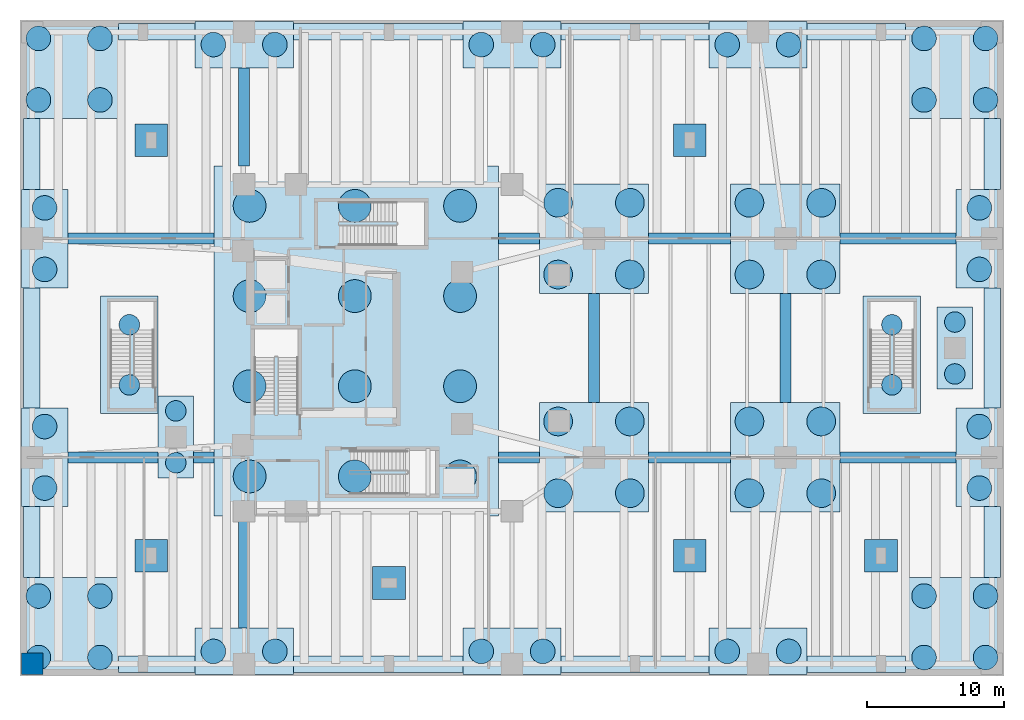
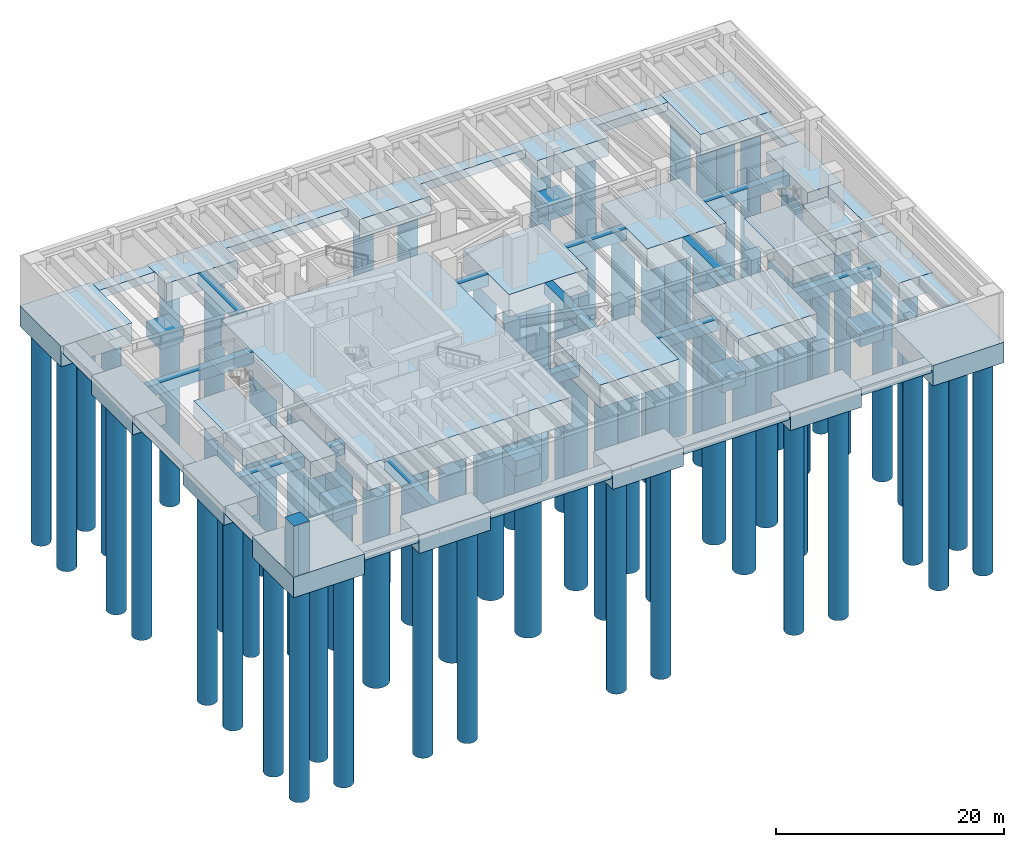
# One storey, part 1 of 10: 72 piles, 56 footings, 1 column.
"""IFC4 building model written with IfcOpenShell, lengths in metres."""

import ifcopenshell
import ifcopenshell.guid

model = None  # the IFC model being written
_history = None  # IfcOwnerHistory: only IFC2X3 demands one
_inside = {}  # id of a spatial element -> (the spatial element, [elements in it])
_under = {}  # id of a project, library or spatial element -> (it, [spatial elements below it])
_declared = {}  # id of a project -> (the project, [libraries it declares])
_typed = {}  # id of a type object -> (the type object, [elements of that type])
_made_of = {}  # id of a material, layer set ... -> (it, [elements and type objects made of it])


def new_model(schema):
    """Start an empty IFC model of exactly this schema.

    Asked for "IFC4X3", IfcOpenShell would pick the latest addendum, in which some entities
    have other attributes; the version numbers below select the first issue.
    IFC2X3 requires an IfcOwnerHistory on every rooted entity: one is made here for all.
    """
    global model, _history
    if schema == "IFC4X3":
        model = ifcopenshell.file(schema_version=(4, 3, 0, 0))
    else:
        model = ifcopenshell.file(schema=schema)
    _inside.clear()
    _under.clear()
    _declared.clear()
    _typed.clear()
    _made_of.clear()
    _history = None
    if model.schema == "IFC2X3":
        org = make("IfcOrganization", Name="unknown")
        user = make(
            "IfcPersonAndOrganization",
            ThePerson=make("IfcPerson", FamilyName="unknown"),
            TheOrganization=org,
        )
        app = make(
            "IfcApplication",
            ApplicationDeveloper=org,
            Version="unknown",
            ApplicationFullName="unknown",
            ApplicationIdentifier="unknown",
        )
        _history = make(
            "IfcOwnerHistory",
            OwningUser=user,
            OwningApplication=app,
            ChangeAction="ADDED",
            CreationDate=0,
        )
    return model


def make(cls, **values):
    """One entity of the class cls with the attributes given. An attribute that is None is left unset."""
    return model.create_entity(
        cls, **{name: value for name, value in values.items() if value is not None}
    )


def rooted(cls, **values):
    """An entity with a GlobalId (a new one), such as an element, a storey or a relation."""
    return make(cls, GlobalId=ifcopenshell.guid.new(), OwnerHistory=_history, **values)


def si_unit(unit_type, name, prefix=None):
    """IfcSIUnit, for example si_unit("LENGTHUNIT", "METRE", prefix="MILLI")."""
    return make("IfcSIUnit", UnitType=unit_type, Prefix=prefix, Name=name)


def assignment(units):
    """IfcUnitAssignment: the units of a project."""
    return None if units is None else make("IfcUnitAssignment", Units=units)


def point(xyz):
    """IfcCartesianPoint."""
    return None if xyz is None else make("IfcCartesianPoint", Coordinates=xyz)


def direction(xyz):
    """IfcDirection."""
    return None if xyz is None else make("IfcDirection", DirectionRatios=xyz)


def frame(location, z_axis=None, x_axis=None):
    """IfcAxis2Placement3D, a coordinate frame: its origin and axes. An axis left out is left unset."""
    return make(
        "IfcAxis2Placement3D",
        Location=point(location),
        Axis=direction(z_axis),
        RefDirection=direction(x_axis),
    )


def frame_2d(location, x_axis=None):
    """IfcAxis2Placement2D, a coordinate frame in the plane: its origin and x axis."""
    return make(
        "IfcAxis2Placement2D", Location=point(location), RefDirection=direction(x_axis)
    )


def origin():
    """The frame at (0, 0, 0) with its axes left unset."""
    return frame((0.0, 0.0, 0.0))


def origin_2d():
    """The frame at (0, 0) in the plane with its x axis left unset."""
    return frame_2d((0.0, 0.0))


def place(relative_to, where):
    """IfcLocalPlacement: puts the frame where relative to a parent placement (None: the world)."""
    return make(
        "IfcLocalPlacement", PlacementRelTo=relative_to, RelativePlacement=where
    )


def context(
    kind, dimensions, precision=None, world=None, true_north=None, identifier=None
):
    """IfcGeometricRepresentationContext, for example the 3D "Model" context."""
    return make(
        "IfcGeometricRepresentationContext",
        ContextIdentifier=identifier,
        ContextType=kind,
        CoordinateSpaceDimension=dimensions,
        Precision=precision,
        WorldCoordinateSystem=world,
        TrueNorth=true_north,
    )


def subcontext(parent, identifier, kind, view, scale=None):
    """IfcGeometricRepresentationSubContext, for example "Body" below "Model"."""
    return make(
        "IfcGeometricRepresentationSubContext",
        ContextIdentifier=identifier,
        ContextType=kind,
        ParentContext=parent,
        TargetScale=scale,
        TargetView=view,
    )


def project(units=None, contexts=None):
    """IfcProject with its units and contexts."""
    return rooted(
        "IfcProject",
        Name="project",
        RepresentationContexts=contexts,
        UnitsInContext=assignment(units),
    )


def spatial(cls, under=None, at=None, **own):
    """A site, building, storey or space (cls), placed at a placement, below another one or the project."""
    s = rooted(cls, ObjectPlacement=at, **own)
    if under is not None:
        _under.setdefault(under.id(), (under, []))[1].append(s)
    return s


def polyline(points):
    """IfcPolyline through the points."""
    return make("IfcPolyline", Points=[point(p) for p in points])


def profile(cls, at=None, kind="AREA", **sizes):
    """A parametric profile (cls). Its sizes go by their IFC names, for example OverallWidth=200.0."""
    return make(cls, ProfileType=kind, Position=at, **sizes)


def rectangle(**sizes):
    """IfcRectangleProfileDef."""
    return profile("IfcRectangleProfileDef", **sizes)


def circle(**sizes):
    """IfcCircleProfileDef."""
    return profile("IfcCircleProfileDef", **sizes)


def outline(outer, holes=None, kind="AREA"):
    """IfcArbitraryClosedProfileDef: a profile drawn as a closed curve; with holes, ...WithVoids."""
    if holes is None:
        return make("IfcArbitraryClosedProfileDef", ProfileType=kind, OuterCurve=outer)
    return make(
        "IfcArbitraryProfileDefWithVoids",
        ProfileType=kind,
        OuterCurve=outer,
        InnerCurves=holes,
    )


def extrude(swept, where, along, depth):
    """IfcExtrudedAreaSolid: the profile swept, set in the frame where, extruded along a direction by depth."""
    return make(
        "IfcExtrudedAreaSolid",
        SweptArea=swept,
        Position=where,
        ExtrudedDirection=direction(along),
        Depth=depth,
    )


def shape(context_of_items, identifier, shape_type, items):
    """IfcShapeRepresentation: the items that make up one representation, for example the "Body"."""
    return make(
        "IfcShapeRepresentation",
        ContextOfItems=context_of_items,
        RepresentationIdentifier=identifier,
        RepresentationType=shape_type,
        Items=items,
    )


def material(Name=None, Category=None):
    """IfcMaterial."""
    return make("IfcMaterial", Name=Name, Category=Category)


def material_profile(
    of_material, cross_section, Name=None, Category=None, Priority=None
):
    """IfcMaterialProfile: a cross section and its material."""
    return make(
        "IfcMaterialProfile",
        Name=Name,
        Material=of_material,
        Profile=cross_section,
        Priority=Priority,
        Category=Category,
    )


def profile_set(profiles, Name=None, composite=None):
    """IfcMaterialProfileSet."""
    return make(
        "IfcMaterialProfileSet",
        Name=Name,
        MaterialProfiles=profiles,
        CompositeProfile=composite,
    )


def made_of(thing, what):
    """Note that an element or type object is made of a material, layer set ...; save() writes the relation."""
    if what is not None:
        _made_of.setdefault(what.id(), (what, []))[1].append(thing)
    return thing


def type_object(cls, material=None, **own):
    """A type object (cls), such as IfcWallType, which elements share."""
    return made_of(rooted(cls, **own), material)


def element(
    cls,
    number,
    at=None,
    inside=None,
    cuts=None,
    type_object=None,
    material=None,
    context=None,
    identifier="Body",
    shape_type=None,
    held_by="IfcProductDefinitionShape",
    body=None,
    shapes=None,
    **own,
):
    """One element of the class cls, such as IfcWall. Its Tag is "e" and its number.

    at: its placement. inside: the storey or other place that contains it. cuts: it is an
    opening in that element (IfcRelVoidsElement). A single representation is given by context,
    identifier, shape_type and body (its items); several are given by shapes. held_by: the class
    of the entity that holds the representations. save() writes the other relations.
    """
    e = rooted(cls, Tag="e%d" % number, ObjectPlacement=at, **own)
    if body is not None:
        shapes = [shape(context, identifier, shape_type, body)]
    if shapes is not None:
        e.Representation = make(held_by, Representations=shapes)
    if inside is not None:
        _inside.setdefault(inside.id(), (inside, []))[1].append(e)
    if cuts is not None:
        rooted(
            "IfcRelVoidsElement", RelatingBuildingElement=cuts, RelatedOpeningElement=e
        )
    if type_object is not None:
        _typed.setdefault(type_object.id(), (type_object, []))[1].append(e)
    return made_of(e, material)


def aggregate(whole, parts):
    """IfcRelAggregates: a whole, such as a stair, and the parts it consists of."""
    return rooted("IfcRelAggregates", RelatingObject=whole, RelatedObjects=parts)


def save(model, path):
    """Write the relations noted so far, then the file.

    IfcRelAggregates (storeys below a building ...), IfcRelContainedInSpatialStructure (elements
    in a storey), IfcRelDefinesByType, IfcRelAssociatesMaterial and IfcRelDeclares: one each for
    every whole, place, type object, material and project.
    """
    for whole, parts in _under.values():
        aggregate(whole, parts)
    for where, things in _inside.values():
        rooted(
            "IfcRelContainedInSpatialStructure",
            RelatedElements=things,
            RelatingStructure=where,
        )
    for kind, things in _typed.values():
        rooted("IfcRelDefinesByType", RelatedObjects=things, RelatingType=kind)
    for what, things in _made_of.values():
        rooted("IfcRelAssociatesMaterial", RelatedObjects=things, RelatingMaterial=what)
    for by, libraries in _declared.values():
        rooted("IfcRelDeclares", RelatingContext=by, RelatedDefinitions=libraries)
    model.write(path)


model = new_model("IFC4")

# Units and contexts
model_context = context("Model", 3, precision=1e-05, world=origin(), true_north=direction((0.0, 1.0)))
body_context = subcontext(model_context, "Body", "Model", "MODEL_VIEW")
ifc_project = project(units=[si_unit("LENGTHUNIT", "METRE"), si_unit("AREAUNIT", "SQUARE_METRE"), si_unit("VOLUMEUNIT", "CUBIC_METRE"), si_unit("PLANEANGLEUNIT", "RADIAN"), si_unit("MASSUNIT", "GRAM", prefix="KILO"), si_unit("THERMODYNAMICTEMPERATUREUNIT", "KELVIN"), si_unit("POWERUNIT", "WATT")], contexts=[model_context])

# Site, building, storey
site_placement = place(None, origin())
site = spatial("IfcSite", under=ifc_project, at=site_placement, CompositionType="ELEMENT")
building_placement = place(site_placement, origin())
building = spatial("IfcBuilding", under=site, at=building_placement, Name="Skarre Station Tower", CompositionType="ELEMENT")
storey_placement = place(building_placement, frame((0.0, 0.0, -10.199951171875)))
storey = spatial("IfcBuildingStorey", under=building, at=storey_placement, Name="B02", CompositionType="ELEMENT", Elevation=-10.199951171875)

# Footings
ifc_material_1 = material(Name="Concrete C50/60", Category="concrete")
footing_type_1 = type_object("IfcFootingType", Name="Caisson Pile Cap 6000x2600x1800", PredefinedType="PILE_CAP", material=ifc_material_1)
for number, where, z_axis, x_axis, name in (
    (1, (11.39990234375, 17.5, -1.80029296875), (0.0, 0.0, 1.0), (0.0, 1.0, 0.0), "Podium Support Pile Cap MC-ST4"),
    (2, (68.39990234375, 24.0, -1.80029296875), (0.0, 0.0, 1.0), (0.0, 1.0, 0.0), "Podium Support Pile Cap MC-ST5"),
):
    element("IfcFooting", number, at=place(storey_placement, frame(where, z_axis=z_axis, x_axis=x_axis)), inside=storey, type_object=footing_type_1, Name=name, PredefinedType="PILE_CAP", context=body_context, shape_type="SweptSolid", body=[
        extrude(rectangle(XDim=6.0, YDim=2.60009765625, at=origin_2d()), origin(), (0.0, 0.0, 1.0), 1.800048828125),
    ])
footing_type_2 = type_object("IfcFootingType", Name="Caisson Pile Cap 6800x3200x2000", PredefinedType="PILE_CAP", material=ifc_material_1)
for number, where, z_axis, x_axis, name in (
    (3, (16.39990234375, 1.800048828125, -2.0), (0.0, 0.0, 1.0), (1.0, 0.0, 0.0), "Perimeter Caisson Pile Cap MC-S1"),
    (4, (36.0, 1.800048828125, -2.0), (0.0, 0.0, 1.0), (1.0, 0.0, 0.0), "Perimeter Caisson Pile Cap MC-S2"),
    (5, (54.0, 1.800048828125, -2.0), (0.0, 0.0, 1.0), (1.0, 0.0, 0.0), "Perimeter Caisson Pile Cap MC-S3"),
    (6, (16.39990234375, 46.199951171875, -2.0), (0.0, 0.0, 1.0), (1.0, 0.0, 0.0), "Perimeter Caisson Pile Cap MC-N1"),
    (7, (36.0, 46.199951171875, -2.0), (0.0, 0.0, 1.0), (1.0, 0.0, 0.0), "Perimeter Caisson Pile Cap MC-N2"),
    (8, (54.0, 46.199951171875, -2.0), (0.0, 0.0, 1.0), (1.0, 0.0, 0.0), "Perimeter Caisson Pile Cap MC-N3"),
    (9, (1.800048828125, 16.0, -2.0), (0.0, 0.0, 1.0), (0.0, 1.0, 0.0), "Perimeter Caisson Pile Cap MC-W1"),
    (10, (1.800048828125, 32.0, -2.0), (0.0, 0.0, 1.0), (0.0, 1.0, 0.0), "Perimeter Caisson Pile Cap MC-W2"),
    (11, (70.199951171875, 16.0, -2.0), (0.0, 0.0, 1.0), (0.0, 1.0, 0.0), "Perimeter Caisson Pile Cap MC-E1"),
    (12, (70.199951171875, 32.0, -2.0), (0.0, 0.0, 1.0), (0.0, 1.0, 0.0), "Perimeter Caisson Pile Cap MC-E2"),
):
    element("IfcFooting", number, at=place(storey_placement, frame(where, z_axis=z_axis, x_axis=x_axis)), inside=storey, type_object=footing_type_2, Name=name, PredefinedType="PILE_CAP", context=body_context, shape_type="SweptSolid", body=[
        extrude(rectangle(XDim=7.199951171875, YDim=3.39990234375, at=origin_2d()), origin(), (0.0, 0.0, 1.0), 2.0),
    ])
footing_type_3 = type_object("IfcFootingType", Name="Caisson Pile Cap 6800x6800x2200", PredefinedType="PILE_CAP", material=ifc_material_1)
for number, where, z_axis, x_axis, name in (
    (13, (3.60009765625, 3.60009765625, -2.2001953125), (0.0, 0.0, 1.0), (1.0, 0.0, 0.0), "Corner Caisson Pile Cap MC-SW"),
    (14, (68.39990234375, 3.60009765625, -2.2001953125), (0.0, 0.0, 1.0), (1.0, 0.0, 0.0), "Corner Caisson Pile Cap MC-SE"),
    (15, (3.60009765625, 44.39990234375, -2.2001953125), (0.0, 0.0, 1.0), (1.0, 0.0, 0.0), "Corner Caisson Pile Cap MC-NW"),
    (16, (68.39990234375, 44.39990234375, -2.2001953125), (0.0, 0.0, 1.0), (1.0, 0.0, 0.0), "Corner Caisson Pile Cap MC-NE"),
):
    element("IfcFooting", number, at=place(storey_placement, frame(where, z_axis=z_axis, x_axis=x_axis)), inside=storey, type_object=footing_type_3, Name=name, PredefinedType="PILE_CAP", context=body_context, shape_type="SweptSolid", body=[
        extrude(rectangle(XDim=7.199951171875, YDim=7.199951171875, at=origin_2d()), origin(), (0.0, 0.0, 1.0), 2.199951171875),
    ])
footing_type_4 = type_object("IfcFootingType", Name="Caisson Pile Cap 8000x8000x2400", PredefinedType="PILE_CAP", material=ifc_material_1)
for number, where, z_axis, x_axis, name in (
    (17, (42.0, 16.0, -2.39990234375), (0.0, 0.0, 1.0), (1.0, 0.0, 0.0), "Interior Transfer Pile Cap MC-I1"),
    (18, (42.0, 32.0, -2.39990234375), (0.0, 0.0, 1.0), (1.0, 0.0, 0.0), "Interior Transfer Pile Cap MC-I2"),
    (19, (56.0, 16.0, -2.39990234375), (0.0, 0.0, 1.0), (1.0, 0.0, 0.0), "Interior Transfer Pile Cap MC-I3"),
    (20, (56.0, 32.0, -2.39990234375), (0.0, 0.0, 1.0), (1.0, 0.0, 0.0), "Interior Transfer Pile Cap MC-I4"),
):
    element("IfcFooting", number, at=place(storey_placement, frame(where, z_axis=z_axis, x_axis=x_axis)), inside=storey, type_object=footing_type_4, Name=name, PredefinedType="PILE_CAP", context=body_context, shape_type="SweptSolid", body=[
        extrude(rectangle(XDim=8.0, YDim=8.0, at=origin_2d()), origin(), (0.0, 0.0, 1.0), 2.39990234375),
    ])
footing_type_5 = type_object("IfcFootingType", Name="Concourse Pad Footing 2400x2400x1600", PredefinedType="PAD_FOOTING", material=ifc_material_1)
for number, where, z_axis, x_axis, name in (
    (21, (9.60009765625, 8.800048828125, -1.60009765625), (0.0, 0.0, 1.0), (1.0, 0.0, 0.0), "Basement Pad Footing PAD-1"),
    (22, (9.60009765625, 39.199951171875, -1.60009765625), (0.0, 0.0, 1.0), (1.0, 0.0, 0.0), "Basement Pad Footing PAD-2"),
    (23, (27.0, 6.800048828125, -1.60009765625), (0.0, 0.0, 1.0), (1.0, 0.0, 0.0), "Basement Pad Footing PAD-3"),
    (24, (49.0, 8.800048828125, -1.60009765625), (0.0, 0.0, 1.0), (1.0, 0.0, 0.0), "Basement Pad Footing PAD-4"),
    (25, (49.0, 39.199951171875, -1.60009765625), (0.0, 0.0, 1.0), (1.0, 0.0, 0.0), "Basement Pad Footing PAD-5"),
    (26, (63.0, 8.800048828125, -1.60009765625), (0.0, 0.0, 1.0), (1.0, 0.0, 0.0), "Basement Pad Footing PAD-6"),
):
    element("IfcFooting", number, at=place(storey_placement, frame(where, z_axis=z_axis, x_axis=x_axis)), inside=storey, type_object=footing_type_5, Name=name, PredefinedType="PAD_FOOTING", context=body_context, shape_type="SweptSolid", body=[
        extrude(rectangle(XDim=2.39990234375, YDim=2.39990234375, at=origin_2d()), origin(), (0.0, 0.0, 1.0), 1.60009765625),
    ])
footing_type_6 = type_object("IfcFootingType", Name="Core Mat Footing 2800", PredefinedType="CAISSON_FOUNDATION", material=ifc_material_1)
footing_1_placement = place(storey_placement, frame((24.60009765625, 24.5, -2.80029296875), z_axis=(0.0, 0.0, 1.0), x_axis=(1.0, 0.0, 0.0)))
element("IfcFooting", 27, at=footing_1_placement, inside=storey, type_object=footing_type_6, Name="Core Piled Mat Foundation FT-MAT1", PredefinedType="CAISSON_FOUNDATION", context=body_context, shape_type="SweptSolid", body=[
    extrude(rectangle(XDim=20.800048828125, YDim=25.60009765625, at=origin_2d()), origin(), (0.0, 0.0, 1.0), 2.800048828125),
])
footing_type_7 = type_object("IfcFootingType", Name="Grade Tie Beam 800x1200", PredefinedType="FOOTING_BEAM", material=ifc_material_1)
footing_2_placement = place(storey_placement, frame((0.0, 0.0, -1.199951171875)))
element("IfcFooting", 28, at=footing_2_placement, inside=storey, type_object=footing_type_7, Name="Foundation Beam GB-1A", PredefinedType="FOOTING_BEAM", context=body_context, shape_type="SweptSolid", body=[
    extrude(outline(polyline([(3.5, 15.60009765625), (10.10009765625, 15.60009765625), (10.10009765625, 16.39990234375), (3.5, 16.39990234375), (3.5, 15.60009765625)])), origin(), (0.0, 0.0, 1.0), 1.199951171875),
])
footing_3_placement = place(storey_placement, frame((0.0, 0.0, -1.199951171875)))
element("IfcFooting", 29, at=footing_3_placement, inside=storey, type_object=footing_type_7, Name="Foundation Beam GB-1B", PredefinedType="FOOTING_BEAM", context=body_context, shape_type="SweptSolid", body=[
    extrude(outline(polyline([(12.699951171875, 15.60009765625), (14.199951171875, 15.60009765625), (14.199951171875, 16.39990234375), (12.699951171875, 16.39990234375), (12.699951171875, 15.60009765625)])), origin(), (0.0, 0.0, 1.0), 1.199951171875),
])
footing_4_placement = place(storey_placement, frame((0.0, 0.0, -1.199951171875)))
element("IfcFooting", 30, at=footing_4_placement, inside=storey, type_object=footing_type_7, Name="Foundation Beam GB-2", PredefinedType="FOOTING_BEAM", context=body_context, shape_type="SweptSolid", body=[
    extrude(outline(polyline([(35.0, 15.60009765625), (38.0, 15.60009765625), (38.0, 16.39990234375), (35.0, 16.39990234375), (35.0, 15.60009765625)])), origin(), (0.0, 0.0, 1.0), 1.199951171875),
])
footing_5_placement = place(storey_placement, frame((0.0, 0.0, -1.199951171875)))
element("IfcFooting", 31, at=footing_5_placement, inside=storey, type_object=footing_type_7, Name="Foundation Beam GB-3", PredefinedType="FOOTING_BEAM", context=body_context, shape_type="SweptSolid", body=[
    extrude(outline(polyline([(46.0, 15.60009765625), (52.0, 15.60009765625), (52.0, 16.39990234375), (46.0, 16.39990234375), (46.0, 15.60009765625)])), origin(), (0.0, 0.0, 1.0), 1.199951171875),
])
footing_6_placement = place(storey_placement, frame((0.0, 0.0, -1.199951171875)))
element("IfcFooting", 32, at=footing_6_placement, inside=storey, type_object=footing_type_7, Name="Foundation Beam GB-4", PredefinedType="FOOTING_BEAM", context=body_context, shape_type="SweptSolid", body=[
    extrude(outline(polyline([(60.0, 15.60009765625), (68.5, 15.60009765625), (68.5, 16.39990234375), (60.0, 16.39990234375), (60.0, 15.60009765625)])), origin(), (0.0, 0.0, 1.0), 1.199951171875),
])
footing_7_placement = place(storey_placement, frame((0.0, 0.0, -1.199951171875)))
element("IfcFooting", 33, at=footing_7_placement, inside=storey, type_object=footing_type_7, Name="Foundation Beam GB-5", PredefinedType="FOOTING_BEAM", context=body_context, shape_type="SweptSolid", body=[
    extrude(outline(polyline([(3.5, 31.60009765625), (14.199951171875, 31.60009765625), (14.199951171875, 32.39990234375), (3.5, 32.39990234375), (3.5, 31.60009765625)])), origin(), (0.0, 0.0, 1.0), 1.199951171875),
])
footing_8_placement = place(storey_placement, frame((0.0, 0.0, -1.199951171875)))
element("IfcFooting", 34, at=footing_8_placement, inside=storey, type_object=footing_type_7, Name="Foundation Beam GB-6", PredefinedType="FOOTING_BEAM", context=body_context, shape_type="SweptSolid", body=[
    extrude(outline(polyline([(35.0, 31.60009765625), (38.0, 31.60009765625), (38.0, 32.39990234375), (35.0, 32.39990234375), (35.0, 31.60009765625)])), origin(), (0.0, 0.0, 1.0), 1.199951171875),
])
footing_9_placement = place(storey_placement, frame((0.0, 0.0, -1.199951171875)))
element("IfcFooting", 35, at=footing_9_placement, inside=storey, type_object=footing_type_7, Name="Foundation Beam GB-7", PredefinedType="FOOTING_BEAM", context=body_context, shape_type="SweptSolid", body=[
    extrude(outline(polyline([(46.0, 31.60009765625), (52.0, 31.60009765625), (52.0, 32.39990234375), (46.0, 32.39990234375), (46.0, 31.60009765625)])), origin(), (0.0, 0.0, 1.0), 1.199951171875),
])
footing_10_placement = place(storey_placement, frame((0.0, 0.0, -1.199951171875)))
element("IfcFooting", 36, at=footing_10_placement, inside=storey, type_object=footing_type_7, Name="Foundation Beam GB-8", PredefinedType="FOOTING_BEAM", context=body_context, shape_type="SweptSolid", body=[
    extrude(outline(polyline([(60.0, 31.60009765625), (68.5, 31.60009765625), (68.5, 32.39990234375), (60.0, 32.39990234375), (60.0, 31.60009765625)])), origin(), (0.0, 0.0, 1.0), 1.199951171875),
])
footing_11_placement = place(storey_placement, frame((0.0, 0.0, -1.199951171875)))
element("IfcFooting", 37, at=footing_11_placement, inside=storey, type_object=footing_type_7, Name="Foundation Beam GB-9", PredefinedType="FOOTING_BEAM", context=body_context, shape_type="SweptSolid", body=[
    extrude(outline(polyline([(16.0, 3.5), (16.800048828125, 3.5), (16.800048828125, 11.699951171875), (16.0, 11.699951171875), (16.0, 3.5)])), origin(), (0.0, 0.0, 1.0), 1.199951171875),
])
footing_12_placement = place(storey_placement, frame((0.0, 0.0, -1.199951171875)))
element("IfcFooting", 38, at=footing_12_placement, inside=storey, type_object=footing_type_7, Name="Foundation Beam GB-10", PredefinedType="FOOTING_BEAM", context=body_context, shape_type="SweptSolid", body=[
    extrude(outline(polyline([(16.0, 37.300048828125), (16.800048828125, 37.300048828125), (16.800048828125, 44.5), (16.0, 44.5), (16.0, 37.300048828125)])), origin(), (0.0, 0.0, 1.0), 1.199951171875),
])
footing_13_placement = place(storey_placement, frame((0.0, 0.0, -1.199951171875)))
element("IfcFooting", 39, at=footing_13_placement, inside=storey, type_object=footing_type_7, Name="Foundation Beam GB-11", PredefinedType="FOOTING_BEAM", context=body_context, shape_type="SweptSolid", body=[
    extrude(outline(polyline([(41.60009765625, 20.0), (42.39990234375, 20.0), (42.39990234375, 28.0), (41.60009765625, 28.0), (41.60009765625, 20.0)])), origin(), (0.0, 0.0, 1.0), 1.199951171875),
])
footing_14_placement = place(storey_placement, frame((0.0, 0.0, -1.199951171875)))
element("IfcFooting", 40, at=footing_14_placement, inside=storey, type_object=footing_type_7, Name="Foundation Beam GB-12", PredefinedType="FOOTING_BEAM", context=body_context, shape_type="SweptSolid", body=[
    extrude(outline(polyline([(55.60009765625, 20.0), (56.39990234375, 20.0), (56.39990234375, 28.0), (55.60009765625, 28.0), (55.60009765625, 20.0)])), origin(), (0.0, 0.0, 1.0), 1.199951171875),
])
footing_type_8 = type_object("IfcFootingType", Name="Perimeter Frost Strip Footing 1200x900", PredefinedType="STRIP_FOOTING", material=ifc_material_1)
footing_15_placement = place(storey_placement, frame((0.0, 0.0, -0.900146484375)))
element("IfcFooting", 41, at=footing_15_placement, inside=storey, type_object=footing_type_8, Name="Foundation Beam SF-S1", PredefinedType="STRIP_FOOTING", context=body_context, shape_type="SweptSolid", body=[
    extrude(outline(polyline([(7.199951171875, 0.25), (12.800048828125, 0.25), (12.800048828125, 1.449951171875), (7.199951171875, 1.449951171875), (7.199951171875, 0.25)])), origin(), (0.0, 0.0, 1.0), 0.900146484375),
])
footing_16_placement = place(storey_placement, frame((0.0, 0.0, -0.900146484375)))
element("IfcFooting", 42, at=footing_16_placement, inside=storey, type_object=footing_type_8, Name="Foundation Beam SF-S2", PredefinedType="STRIP_FOOTING", context=body_context, shape_type="SweptSolid", body=[
    extrude(outline(polyline([(20.0, 0.25), (32.39990234375, 0.25), (32.39990234375, 1.449951171875), (20.0, 1.449951171875), (20.0, 0.25)])), origin(), (0.0, 0.0, 1.0), 0.900146484375),
])
footing_17_placement = place(storey_placement, frame((0.0, 0.0, -0.900146484375)))
element("IfcFooting", 43, at=footing_17_placement, inside=storey, type_object=footing_type_8, Name="Foundation Beam SF-S3", PredefinedType="STRIP_FOOTING", context=body_context, shape_type="SweptSolid", body=[
    extrude(outline(polyline([(39.60009765625, 0.25), (50.39990234375, 0.25), (50.39990234375, 1.449951171875), (39.60009765625, 1.449951171875), (39.60009765625, 0.25)])), origin(), (0.0, 0.0, 1.0), 0.900146484375),
])
footing_18_placement = place(storey_placement, frame((0.0, 0.0, -0.900146484375)))
element("IfcFooting", 44, at=footing_18_placement, inside=storey, type_object=footing_type_8, Name="Foundation Beam SF-S4", PredefinedType="STRIP_FOOTING", context=body_context, shape_type="SweptSolid", body=[
    extrude(outline(polyline([(57.60009765625, 0.25), (64.800048828125, 0.25), (64.800048828125, 1.449951171875), (57.60009765625, 1.449951171875), (57.60009765625, 0.25)])), origin(), (0.0, 0.0, 1.0), 0.900146484375),
])
footing_19_placement = place(storey_placement, frame((0.0, 0.0, -0.900146484375)))
element("IfcFooting", 45, at=footing_19_placement, inside=storey, type_object=footing_type_8, Name="Foundation Beam SF-N1", PredefinedType="STRIP_FOOTING", context=body_context, shape_type="SweptSolid", body=[
    extrude(outline(polyline([(7.199951171875, 46.550048828125), (12.800048828125, 46.550048828125), (12.800048828125, 47.75), (7.199951171875, 47.75), (7.199951171875, 46.550048828125)])), origin(), (0.0, 0.0, 1.0), 0.900146484375),
])
footing_20_placement = place(storey_placement, frame((0.0, 0.0, -0.900146484375)))
element("IfcFooting", 46, at=footing_20_placement, inside=storey, type_object=footing_type_8, Name="Foundation Beam SF-N2", PredefinedType="STRIP_FOOTING", context=body_context, shape_type="SweptSolid", body=[
    extrude(outline(polyline([(20.0, 46.550048828125), (32.39990234375, 46.550048828125), (32.39990234375, 47.75), (20.0, 47.75), (20.0, 46.550048828125)])), origin(), (0.0, 0.0, 1.0), 0.900146484375),
])
footing_21_placement = place(storey_placement, frame((0.0, 0.0, -0.900146484375)))
element("IfcFooting", 47, at=footing_21_placement, inside=storey, type_object=footing_type_8, Name="Foundation Beam SF-N3", PredefinedType="STRIP_FOOTING", context=body_context, shape_type="SweptSolid", body=[
    extrude(outline(polyline([(39.60009765625, 46.550048828125), (50.39990234375, 46.550048828125), (50.39990234375, 47.75), (39.60009765625, 47.75), (39.60009765625, 46.550048828125)])), origin(), (0.0, 0.0, 1.0), 0.900146484375),
])
footing_22_placement = place(storey_placement, frame((0.0, 0.0, -0.900146484375)))
element("IfcFooting", 48, at=footing_22_placement, inside=storey, type_object=footing_type_8, Name="Foundation Beam SF-N4", PredefinedType="STRIP_FOOTING", context=body_context, shape_type="SweptSolid", body=[
    extrude(outline(polyline([(57.60009765625, 46.550048828125), (64.800048828125, 46.550048828125), (64.800048828125, 47.75), (57.60009765625, 47.75), (57.60009765625, 46.550048828125)])), origin(), (0.0, 0.0, 1.0), 0.900146484375),
])
footing_23_placement = place(storey_placement, frame((0.0, 0.0, -0.900146484375)))
element("IfcFooting", 49, at=footing_23_placement, inside=storey, type_object=footing_type_8, Name="Foundation Beam SF-W1", PredefinedType="STRIP_FOOTING", context=body_context, shape_type="SweptSolid", body=[
    extrude(outline(polyline([(0.25, 7.199951171875), (1.449951171875, 7.199951171875), (1.449951171875, 12.39990234375), (0.25, 12.39990234375), (0.25, 7.199951171875)])), origin(), (0.0, 0.0, 1.0), 0.900146484375),
])
footing_24_placement = place(storey_placement, frame((0.0, 0.0, -0.900146484375)))
element("IfcFooting", 50, at=footing_24_placement, inside=storey, type_object=footing_type_8, Name="Foundation Beam SF-W2", PredefinedType="STRIP_FOOTING", context=body_context, shape_type="SweptSolid", body=[
    extrude(outline(polyline([(0.25, 19.60009765625), (1.449951171875, 19.60009765625), (1.449951171875, 28.39990234375), (0.25, 28.39990234375), (0.25, 19.60009765625)])), origin(), (0.0, 0.0, 1.0), 0.900146484375),
])
footing_25_placement = place(storey_placement, frame((0.0, 0.0, -0.900146484375)))
element("IfcFooting", 51, at=footing_25_placement, inside=storey, type_object=footing_type_8, Name="Foundation Beam SF-W3", PredefinedType="STRIP_FOOTING", context=body_context, shape_type="SweptSolid", body=[
    extrude(outline(polyline([(0.25, 35.60009765625), (1.449951171875, 35.60009765625), (1.449951171875, 40.800048828125), (0.25, 40.800048828125), (0.25, 35.60009765625)])), origin(), (0.0, 0.0, 1.0), 0.900146484375),
])
footing_26_placement = place(storey_placement, frame((0.0, 0.0, -0.900146484375)))
element("IfcFooting", 52, at=footing_26_placement, inside=storey, type_object=footing_type_8, Name="Foundation Beam SF-E1", PredefinedType="STRIP_FOOTING", context=body_context, shape_type="SweptSolid", body=[
    extrude(outline(polyline([(70.550048828125, 7.199951171875), (71.75, 7.199951171875), (71.75, 12.39990234375), (70.550048828125, 12.39990234375), (70.550048828125, 7.199951171875)])), origin(), (0.0, 0.0, 1.0), 0.900146484375),
])
footing_27_placement = place(storey_placement, frame((0.0, 0.0, -0.900146484375)))
element("IfcFooting", 53, at=footing_27_placement, inside=storey, type_object=footing_type_8, Name="Foundation Beam SF-E2", PredefinedType="STRIP_FOOTING", context=body_context, shape_type="SweptSolid", body=[
    extrude(outline(polyline([(70.550048828125, 19.60009765625), (71.75, 19.60009765625), (71.75, 28.39990234375), (70.550048828125, 28.39990234375), (70.550048828125, 19.60009765625)])), origin(), (0.0, 0.0, 1.0), 0.900146484375),
])
footing_28_placement = place(storey_placement, frame((0.0, 0.0, -0.900146484375)))
element("IfcFooting", 54, at=footing_28_placement, inside=storey, type_object=footing_type_8, Name="Foundation Beam SF-E3", PredefinedType="STRIP_FOOTING", context=body_context, shape_type="SweptSolid", body=[
    extrude(outline(polyline([(70.550048828125, 35.60009765625), (71.75, 35.60009765625), (71.75, 40.800048828125), (70.550048828125, 40.800048828125), (70.550048828125, 35.60009765625)])), origin(), (0.0, 0.0, 1.0), 0.900146484375),
])
footing_type_9 = type_object("IfcFootingType", Name="Podium Stair Mat Footing 4200x8600x1800", PredefinedType="PAD_FOOTING", material=ifc_material_1)
for number, where, z_axis, x_axis, name in (
    (55, (8.0, 23.5, -1.80029296875), (0.0, 0.0, 1.0), (1.0, 0.0, 0.0), "Podium Stair ST4 Foundation Mat"),
    (56, (63.800048828125, 23.5, -1.80029296875), (0.0, 0.0, 1.0), (1.0, 0.0, 0.0), "Podium Stair ST5 Foundation Mat"),
):
    element("IfcFooting", number, at=place(storey_placement, frame(where, z_axis=z_axis, x_axis=x_axis)), inside=storey, type_object=footing_type_9, Name=name, PredefinedType="PAD_FOOTING", context=body_context, shape_type="SweptSolid", body=[
        extrude(rectangle(XDim=4.199951171875, YDim=8.60009765625, at=origin_2d()), origin(), (0.0, 0.0, 1.0), 1.800048828125),
    ])

# Piles
ifc_material_profile_1 = material_profile(ifc_material_1, circle(Radius=0.75, at=origin_2d()), Name="Concrete C50/60")
ifc_profile_set_1 = profile_set([ifc_material_profile_1], Name="Concrete C50/60")
pile_type_1 = type_object("IfcPileType", Name="Rock-Socketed Drilled Caisson 1500", PredefinedType="BORED", material=ifc_profile_set_1)
for number, where, z_axis, x_axis, name in (
    (57, (8.0, 21.300048828125, -1.650146484375), (0.0, 0.0, -1.0), (1.0, 0.0, 0.0), "Podium Stair ST4 Caisson 1"),
    (58, (8.0, 25.699951171875, -1.650146484375), (0.0, 0.0, -1.0), (1.0, 0.0, 0.0), "Podium Stair ST4 Caisson 2"),
    (59, (63.800048828125, 21.300048828125, -1.650146484375), (0.0, 0.0, -1.0), (1.0, 0.0, 0.0), "Podium Stair ST5 Caisson 1"),
    (60, (63.800048828125, 25.699951171875, -1.650146484375), (0.0, 0.0, -1.0), (1.0, 0.0, 0.0), "Podium Stair ST5 Caisson 2"),
    (61, (11.39990234375, 15.60009765625, -1.650146484375), (0.0, 0.0, -1.0), (1.0, 0.0, 0.0), "Podium Support Caisson MC-ST4-1"),
    (62, (11.39990234375, 19.39990234375, -1.650146484375), (0.0, 0.0, -1.0), (1.0, 0.0, 0.0), "Podium Support Caisson MC-ST4-2"),
    (63, (68.39990234375, 22.10009765625, -1.650146484375), (0.0, 0.0, -1.0), (1.0, 0.0, 0.0), "Podium Support Caisson MC-ST5-1"),
    (64, (68.39990234375, 25.89990234375, -1.650146484375), (0.0, 0.0, -1.0), (1.0, 0.0, 0.0), "Podium Support Caisson MC-ST5-2"),
):
    element("IfcPile", number, at=place(storey_placement, frame(where, z_axis=z_axis, x_axis=x_axis)), inside=storey, type_object=pile_type_1, Name=name, PredefinedType="BORED", context=body_context, shape_type="SweptSolid", body=[
        extrude(circle(Radius=0.75, at=origin_2d()), origin(), (0.0, 0.0, 1.0), 22.14990234375),
    ])
ifc_material_profile_2 = material_profile(ifc_material_1, circle(Radius=0.89990234375, at=origin_2d()), Name="Concrete C50/60")
ifc_profile_set_2 = profile_set([ifc_material_profile_2], Name="Concrete C50/60")
pile_type_2 = type_object("IfcPileType", Name="Rock-Socketed Drilled Caisson 1800", PredefinedType="BORED", material=ifc_profile_set_2)
for number, where, z_axis, x_axis, name in (
    (65, (1.35009765625, 1.35009765625, -2.050048828125), (0.0, 0.0, -1.0), (1.0, 0.0, 0.0), "Corner Caisson MC-SW-1"),
    (66, (5.85009765625, 1.35009765625, -2.050048828125), (0.0, 0.0, -1.0), (1.0, 0.0, 0.0), "Corner Caisson MC-SW-2"),
    (67, (1.35009765625, 5.85009765625, -2.050048828125), (0.0, 0.0, -1.0), (1.0, 0.0, 0.0), "Corner Caisson MC-SW-3"),
    (68, (5.85009765625, 5.85009765625, -2.050048828125), (0.0, 0.0, -1.0), (1.0, 0.0, 0.0), "Corner Caisson MC-SW-4"),
    (69, (66.14990234375, 1.35009765625, -2.050048828125), (0.0, 0.0, -1.0), (1.0, 0.0, 0.0), "Corner Caisson MC-SE-1"),
    (70, (70.64990234375, 1.35009765625, -2.050048828125), (0.0, 0.0, -1.0), (1.0, 0.0, 0.0), "Corner Caisson MC-SE-2"),
    (71, (66.14990234375, 5.85009765625, -2.050048828125), (0.0, 0.0, -1.0), (1.0, 0.0, 0.0), "Corner Caisson MC-SE-3"),
    (72, (70.64990234375, 5.85009765625, -2.050048828125), (0.0, 0.0, -1.0), (1.0, 0.0, 0.0), "Corner Caisson MC-SE-4"),
    (73, (1.35009765625, 42.14990234375, -2.050048828125), (0.0, 0.0, -1.0), (1.0, 0.0, 0.0), "Corner Caisson MC-NW-1"),
    (74, (5.85009765625, 42.14990234375, -2.050048828125), (0.0, 0.0, -1.0), (1.0, 0.0, 0.0), "Corner Caisson MC-NW-2"),
    (75, (1.35009765625, 46.64990234375, -2.050048828125), (0.0, 0.0, -1.0), (1.0, 0.0, 0.0), "Corner Caisson MC-NW-3"),
    (76, (5.85009765625, 46.64990234375, -2.050048828125), (0.0, 0.0, -1.0), (1.0, 0.0, 0.0), "Corner Caisson MC-NW-4"),
    (77, (66.14990234375, 42.14990234375, -2.050048828125), (0.0, 0.0, -1.0), (1.0, 0.0, 0.0), "Corner Caisson MC-NE-1"),
    (78, (70.64990234375, 42.14990234375, -2.050048828125), (0.0, 0.0, -1.0), (1.0, 0.0, 0.0), "Corner Caisson MC-NE-2"),
    (79, (66.14990234375, 46.64990234375, -2.050048828125), (0.0, 0.0, -1.0), (1.0, 0.0, 0.0), "Corner Caisson MC-NE-3"),
    (80, (70.64990234375, 46.64990234375, -2.050048828125), (0.0, 0.0, -1.0), (1.0, 0.0, 0.0), "Corner Caisson MC-NE-4"),
):
    element("IfcPile", number, at=place(storey_placement, frame(where, z_axis=z_axis, x_axis=x_axis)), inside=storey, type_object=pile_type_2, Name=name, PredefinedType="BORED", context=body_context, shape_type="SweptSolid", body=[
        extrude(circle(Radius=0.89990234375, at=origin_2d()), origin(), (0.0, 0.0, 1.0), 22.75),
    ])
for number, where, z_axis, x_axis, name in (
    (81, (14.14990234375, 1.800048828125, -1.85009765625), (0.0, 0.0, -1.0), (1.0, 0.0, 0.0), "Perimeter Caisson MC-S1-1"),
    (82, (18.64990234375, 1.800048828125, -1.85009765625), (0.0, 0.0, -1.0), (1.0, 0.0, 0.0), "Perimeter Caisson MC-S1-2"),
    (83, (33.75, 1.800048828125, -1.85009765625), (0.0, 0.0, -1.0), (1.0, 0.0, 0.0), "Perimeter Caisson MC-S2-1"),
    (84, (38.25, 1.800048828125, -1.85009765625), (0.0, 0.0, -1.0), (1.0, 0.0, 0.0), "Perimeter Caisson MC-S2-2"),
    (85, (51.75, 1.800048828125, -1.85009765625), (0.0, 0.0, -1.0), (1.0, 0.0, 0.0), "Perimeter Caisson MC-S3-1"),
    (86, (56.25, 1.800048828125, -1.85009765625), (0.0, 0.0, -1.0), (1.0, 0.0, 0.0), "Perimeter Caisson MC-S3-2"),
    (87, (14.14990234375, 46.199951171875, -1.85009765625), (0.0, 0.0, -1.0), (1.0, 0.0, 0.0), "Perimeter Caisson MC-N1-1"),
    (88, (18.64990234375, 46.199951171875, -1.85009765625), (0.0, 0.0, -1.0), (1.0, 0.0, 0.0), "Perimeter Caisson MC-N1-2"),
    (89, (33.75, 46.199951171875, -1.85009765625), (0.0, 0.0, -1.0), (1.0, 0.0, 0.0), "Perimeter Caisson MC-N2-1"),
    (90, (38.25, 46.199951171875, -1.85009765625), (0.0, 0.0, -1.0), (1.0, 0.0, 0.0), "Perimeter Caisson MC-N2-2"),
    (91, (51.75, 46.199951171875, -1.85009765625), (0.0, 0.0, -1.0), (1.0, 0.0, 0.0), "Perimeter Caisson MC-N3-1"),
    (92, (56.25, 46.199951171875, -1.85009765625), (0.0, 0.0, -1.0), (1.0, 0.0, 0.0), "Perimeter Caisson MC-N3-2"),
    (93, (1.800048828125, 13.75, -1.85009765625), (0.0, 0.0, -1.0), (1.0, 0.0, 0.0), "Perimeter Caisson MC-W1-1"),
    (94, (1.800048828125, 18.25, -1.85009765625), (0.0, 0.0, -1.0), (1.0, 0.0, 0.0), "Perimeter Caisson MC-W1-2"),
    (95, (1.800048828125, 29.75, -1.85009765625), (0.0, 0.0, -1.0), (1.0, 0.0, 0.0), "Perimeter Caisson MC-W2-1"),
    (96, (1.800048828125, 34.25, -1.85009765625), (0.0, 0.0, -1.0), (1.0, 0.0, 0.0), "Perimeter Caisson MC-W2-2"),
    (97, (70.199951171875, 13.75, -1.85009765625), (0.0, 0.0, -1.0), (1.0, 0.0, 0.0), "Perimeter Caisson MC-E1-1"),
    (98, (70.199951171875, 18.25, -1.85009765625), (0.0, 0.0, -1.0), (1.0, 0.0, 0.0), "Perimeter Caisson MC-E1-2"),
    (99, (70.199951171875, 29.75, -1.85009765625), (0.0, 0.0, -1.0), (1.0, 0.0, 0.0), "Perimeter Caisson MC-E2-1"),
    (100, (70.199951171875, 34.25, -1.85009765625), (0.0, 0.0, -1.0), (1.0, 0.0, 0.0), "Perimeter Caisson MC-E2-2"),
):
    element("IfcPile", number, at=place(storey_placement, frame(where, z_axis=z_axis, x_axis=x_axis)), inside=storey, type_object=pile_type_2, Name=name, PredefinedType="BORED", context=body_context, shape_type="SweptSolid", body=[
        extrude(circle(Radius=0.89990234375, at=origin_2d()), origin(), (0.0, 0.0, 1.0), 22.949951171875),
    ])
ifc_material_profile_3 = material_profile(ifc_material_1, circle(Radius=1.050048828125, at=origin_2d()), Name="Concrete C50/60")
ifc_profile_set_3 = profile_set([ifc_material_profile_3], Name="Concrete C50/60")
pile_type_3 = type_object("IfcPileType", Name="Rock-Socketed Drilled Caisson 2100", PredefinedType="BORED", material=ifc_profile_set_3)
for number, where, z_axis, x_axis, name in (
    (101, (39.375, 13.375, -2.25), (0.0, 0.0, -1.0), (1.0, 0.0, 0.0), "Transfer Caisson MC-I1-1"),
    (102, (44.625, 13.375, -2.25), (0.0, 0.0, -1.0), (1.0, 0.0, 0.0), "Transfer Caisson MC-I1-2"),
    (103, (39.375, 18.625, -2.25), (0.0, 0.0, -1.0), (1.0, 0.0, 0.0), "Transfer Caisson MC-I1-3"),
    (104, (44.625, 18.625, -2.25), (0.0, 0.0, -1.0), (1.0, 0.0, 0.0), "Transfer Caisson MC-I1-4"),
    (105, (39.375, 29.375, -2.25), (0.0, 0.0, -1.0), (1.0, 0.0, 0.0), "Transfer Caisson MC-I2-1"),
    (106, (44.625, 29.375, -2.25), (0.0, 0.0, -1.0), (1.0, 0.0, 0.0), "Transfer Caisson MC-I2-2"),
    (107, (39.375, 34.625, -2.25), (0.0, 0.0, -1.0), (1.0, 0.0, 0.0), "Transfer Caisson MC-I2-3"),
    (108, (44.625, 34.625, -2.25), (0.0, 0.0, -1.0), (1.0, 0.0, 0.0), "Transfer Caisson MC-I2-4"),
    (109, (53.375, 13.375, -2.25), (0.0, 0.0, -1.0), (1.0, 0.0, 0.0), "Transfer Caisson MC-I3-1"),
    (110, (58.625, 13.375, -2.25), (0.0, 0.0, -1.0), (1.0, 0.0, 0.0), "Transfer Caisson MC-I3-2"),
    (111, (53.375, 18.625, -2.25), (0.0, 0.0, -1.0), (1.0, 0.0, 0.0), "Transfer Caisson MC-I3-3"),
    (112, (58.625, 18.625, -2.25), (0.0, 0.0, -1.0), (1.0, 0.0, 0.0), "Transfer Caisson MC-I3-4"),
    (113, (53.375, 29.375, -2.25), (0.0, 0.0, -1.0), (1.0, 0.0, 0.0), "Transfer Caisson MC-I4-1"),
    (114, (58.625, 29.375, -2.25), (0.0, 0.0, -1.0), (1.0, 0.0, 0.0), "Transfer Caisson MC-I4-2"),
    (115, (53.375, 34.625, -2.25), (0.0, 0.0, -1.0), (1.0, 0.0, 0.0), "Transfer Caisson MC-I4-3"),
    (116, (58.625, 34.625, -2.25), (0.0, 0.0, -1.0), (1.0, 0.0, 0.0), "Transfer Caisson MC-I4-4"),
):
    element("IfcPile", number, at=place(storey_placement, frame(where, z_axis=z_axis, x_axis=x_axis)), inside=storey, type_object=pile_type_3, Name=name, PredefinedType="BORED", context=body_context, shape_type="SweptSolid", body=[
        extrude(circle(Radius=1.050048828125, at=origin_2d()), origin(), (0.0, 0.0, 1.0), 23.550048828125),
    ])
ifc_material_profile_4 = material_profile(ifc_material_1, circle(Radius=1.199951171875, at=origin_2d()), Name="Concrete C50/60")
ifc_profile_set_4 = profile_set([ifc_material_profile_4], Name="Concrete C50/60")
pile_type_4 = type_object("IfcPileType", Name="Rock-Socketed Drilled Caisson 2400", PredefinedType="BORED", material=ifc_profile_set_4)
for number, where, z_axis, x_axis, name in (
    (117, (16.800048828125, 14.60009765625, -2.650146484375), (0.0, 0.0, -1.0), (1.0, 0.0, 0.0), "Core Mat Rock-Socketed Caisson 1"),
    (118, (16.800048828125, 21.199951171875, -2.650146484375), (0.0, 0.0, -1.0), (1.0, 0.0, 0.0), "Core Mat Rock-Socketed Caisson 2"),
    (119, (16.800048828125, 27.800048828125, -2.650146484375), (0.0, 0.0, -1.0), (1.0, 0.0, 0.0), "Core Mat Rock-Socketed Caisson 3"),
    (120, (16.800048828125, 34.39990234375, -2.650146484375), (0.0, 0.0, -1.0), (1.0, 0.0, 0.0), "Core Mat Rock-Socketed Caisson 4"),
    (121, (24.5, 14.60009765625, -2.650146484375), (0.0, 0.0, -1.0), (1.0, 0.0, 0.0), "Core Mat Rock-Socketed Caisson 5"),
    (122, (24.5, 21.199951171875, -2.650146484375), (0.0, 0.0, -1.0), (1.0, 0.0, 0.0), "Core Mat Rock-Socketed Caisson 6"),
    (123, (24.5, 27.800048828125, -2.650146484375), (0.0, 0.0, -1.0), (1.0, 0.0, 0.0), "Core Mat Rock-Socketed Caisson 7"),
    (124, (24.5, 34.39990234375, -2.650146484375), (0.0, 0.0, -1.0), (1.0, 0.0, 0.0), "Core Mat Rock-Socketed Caisson 8"),
    (125, (32.199951171875, 14.60009765625, -2.650146484375), (0.0, 0.0, -1.0), (1.0, 0.0, 0.0), "Core Mat Rock-Socketed Caisson 9"),
    (126, (32.199951171875, 21.199951171875, -2.650146484375), (0.0, 0.0, -1.0), (1.0, 0.0, 0.0), "Core Mat Rock-Socketed Caisson 10"),
    (127, (32.199951171875, 27.800048828125, -2.650146484375), (0.0, 0.0, -1.0), (1.0, 0.0, 0.0), "Core Mat Rock-Socketed Caisson 11"),
    (128, (32.199951171875, 34.39990234375, -2.650146484375), (0.0, 0.0, -1.0), (1.0, 0.0, 0.0), "Core Mat Rock-Socketed Caisson 12"),
):
    element("IfcPile", number, at=place(storey_placement, frame(where, z_axis=z_axis, x_axis=x_axis)), inside=storey, type_object=pile_type_4, Name=name, PredefinedType="BORED", context=body_context, shape_type="SweptSolid", body=[
        extrude(circle(Radius=1.199951171875, at=origin_2d()), origin(), (0.0, 0.0, 1.0), 23.14990234375),
    ])

# Column
ifc_material_2 = material(Name="Concrete C70/85", Category="concrete")
ifc_material_profile_5 = material_profile(ifc_material_2, rectangle(XDim=1.60009765625, YDim=1.60009765625, at=origin_2d()), Name="Concrete C70/85")
ifc_profile_set_5 = profile_set([ifc_material_profile_5], Name="Concrete C70/85")
column_type = type_object("IfcColumnType", Name="RC Structural Column RC-COL-1600X1600", PredefinedType="COLUMN", material=ifc_profile_set_5)
column_placement = place(storey_placement, frame((0.89990234375, 0.89990234375, 0.0), z_axis=(0.0, 0.0, 1.0), x_axis=(1.0, 0.0, 0.0)))
element("IfcColumn", 129, at=column_placement, inside=storey, type_object=column_type, Name="B02 Station Concourse Mega-Column PM01", PredefinedType="COLUMN", context=body_context, shape_type="SweptSolid", body=[
    extrude(rectangle(XDim=1.60009765625, YDim=1.60009765625, at=origin_2d()), origin(), (0.0, 0.0, 1.0), 5.39990234375),
])

save(model, "model.ifc")
